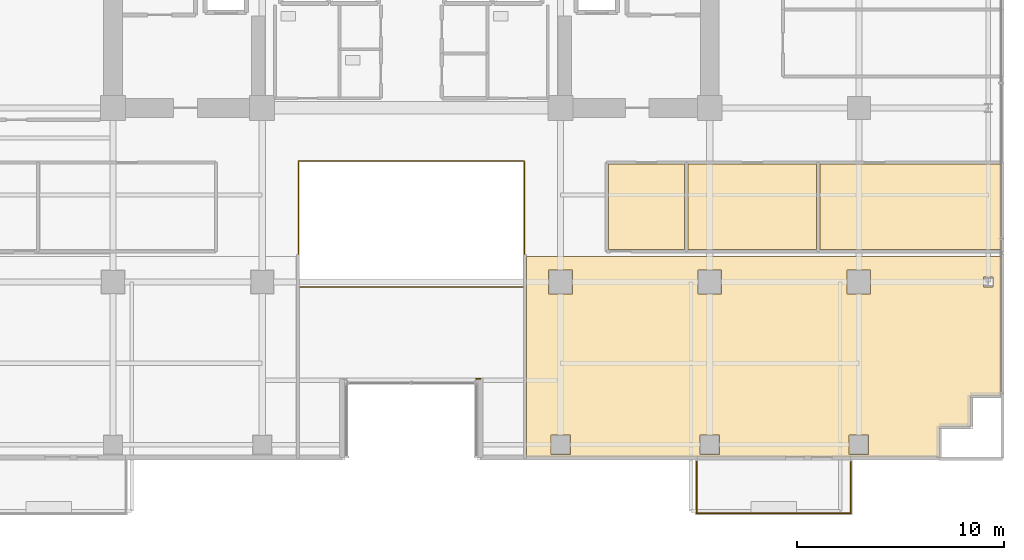
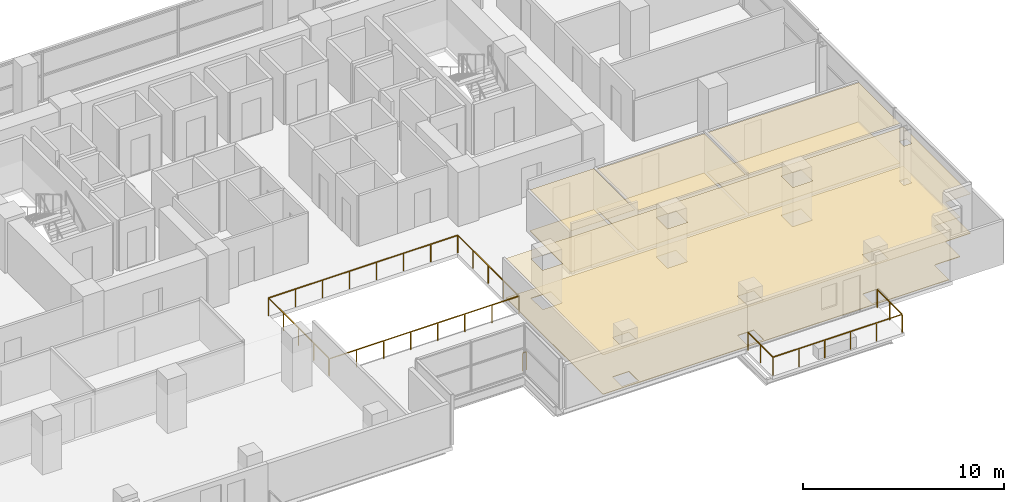
# One storey, part 29 of 31: 8 coverings, 3 railings.
"""IFC4 building model written with IfcOpenShell, lengths in metres."""

import ifcopenshell
import ifcopenshell.guid

model = None  # the IFC model being written
_history = None  # IfcOwnerHistory: only IFC2X3 demands one
_inside = {}  # id of a spatial element -> (the spatial element, [elements in it])
_under = {}  # id of a project, library or spatial element -> (it, [spatial elements below it])
_declared = {}  # id of a project -> (the project, [libraries it declares])
_typed = {}  # id of a type object -> (the type object, [elements of that type])
_made_of = {}  # id of a material, layer set ... -> (it, [elements and type objects made of it])


def new_model(schema):
    """Start an empty IFC model of exactly this schema.

    Asked for "IFC4X3", IfcOpenShell would pick the latest addendum, in which some entities
    have other attributes; the version numbers below select the first issue.
    IFC2X3 requires an IfcOwnerHistory on every rooted entity: one is made here for all.
    """
    global model, _history
    if schema == "IFC4X3":
        model = ifcopenshell.file(schema_version=(4, 3, 0, 0))
    else:
        model = ifcopenshell.file(schema=schema)
    _inside.clear()
    _under.clear()
    _declared.clear()
    _typed.clear()
    _made_of.clear()
    _history = None
    if model.schema == "IFC2X3":
        org = make("IfcOrganization", Name="unknown")
        user = make(
            "IfcPersonAndOrganization",
            ThePerson=make("IfcPerson", FamilyName="unknown"),
            TheOrganization=org,
        )
        app = make(
            "IfcApplication",
            ApplicationDeveloper=org,
            Version="unknown",
            ApplicationFullName="unknown",
            ApplicationIdentifier="unknown",
        )
        _history = make(
            "IfcOwnerHistory",
            OwningUser=user,
            OwningApplication=app,
            ChangeAction="ADDED",
            CreationDate=0,
        )
    return model


def make(cls, **values):
    """One entity of the class cls with the attributes given. An attribute that is None is left unset."""
    return model.create_entity(
        cls, **{name: value for name, value in values.items() if value is not None}
    )


def rooted(cls, **values):
    """An entity with a GlobalId (a new one), such as an element, a storey or a relation."""
    return make(cls, GlobalId=ifcopenshell.guid.new(), OwnerHistory=_history, **values)


def si_unit(unit_type, name, prefix=None):
    """IfcSIUnit, for example si_unit("LENGTHUNIT", "METRE", prefix="MILLI")."""
    return make("IfcSIUnit", UnitType=unit_type, Prefix=prefix, Name=name)


def assignment(units):
    """IfcUnitAssignment: the units of a project."""
    return None if units is None else make("IfcUnitAssignment", Units=units)


def point(xyz):
    """IfcCartesianPoint."""
    return None if xyz is None else make("IfcCartesianPoint", Coordinates=xyz)


def direction(xyz):
    """IfcDirection."""
    return None if xyz is None else make("IfcDirection", DirectionRatios=xyz)


def frame(location, z_axis=None, x_axis=None):
    """IfcAxis2Placement3D, a coordinate frame: its origin and axes. An axis left out is left unset."""
    return make(
        "IfcAxis2Placement3D",
        Location=point(location),
        Axis=direction(z_axis),
        RefDirection=direction(x_axis),
    )


def frame_2d(location, x_axis=None):
    """IfcAxis2Placement2D, a coordinate frame in the plane: its origin and x axis."""
    return make(
        "IfcAxis2Placement2D", Location=point(location), RefDirection=direction(x_axis)
    )


def origin():
    """The frame at (0, 0, 0) with its axes left unset."""
    return frame((0.0, 0.0, 0.0))


def origin_2d():
    """The frame at (0, 0) in the plane with its x axis left unset."""
    return frame_2d((0.0, 0.0))


def place(relative_to, where):
    """IfcLocalPlacement: puts the frame where relative to a parent placement (None: the world)."""
    return make(
        "IfcLocalPlacement", PlacementRelTo=relative_to, RelativePlacement=where
    )


def context(
    kind, dimensions, precision=None, world=None, true_north=None, identifier=None
):
    """IfcGeometricRepresentationContext, for example the 3D "Model" context."""
    return make(
        "IfcGeometricRepresentationContext",
        ContextIdentifier=identifier,
        ContextType=kind,
        CoordinateSpaceDimension=dimensions,
        Precision=precision,
        WorldCoordinateSystem=world,
        TrueNorth=true_north,
    )


def subcontext(parent, identifier, kind, view, scale=None):
    """IfcGeometricRepresentationSubContext, for example "Body" below "Model"."""
    return make(
        "IfcGeometricRepresentationSubContext",
        ContextIdentifier=identifier,
        ContextType=kind,
        ParentContext=parent,
        TargetScale=scale,
        TargetView=view,
    )


def project(units=None, contexts=None):
    """IfcProject with its units and contexts."""
    return rooted(
        "IfcProject",
        Name="project",
        RepresentationContexts=contexts,
        UnitsInContext=assignment(units),
    )


def spatial(cls, under=None, at=None, **own):
    """A site, building, storey or space (cls), placed at a placement, below another one or the project."""
    s = rooted(cls, ObjectPlacement=at, **own)
    if under is not None:
        _under.setdefault(under.id(), (under, []))[1].append(s)
    return s


def polyline(points):
    """IfcPolyline through the points."""
    return make("IfcPolyline", Points=[point(p) for p in points])


def profile(cls, at=None, kind="AREA", **sizes):
    """A parametric profile (cls). Its sizes go by their IFC names, for example OverallWidth=200.0."""
    return make(cls, ProfileType=kind, Position=at, **sizes)


def rectangle(**sizes):
    """IfcRectangleProfileDef."""
    return profile("IfcRectangleProfileDef", **sizes)


def outline(outer, holes=None, kind="AREA"):
    """IfcArbitraryClosedProfileDef: a profile drawn as a closed curve; with holes, ...WithVoids."""
    if holes is None:
        return make("IfcArbitraryClosedProfileDef", ProfileType=kind, OuterCurve=outer)
    return make(
        "IfcArbitraryProfileDefWithVoids",
        ProfileType=kind,
        OuterCurve=outer,
        InnerCurves=holes,
    )


def extrude(swept, where, along, depth):
    """IfcExtrudedAreaSolid: the profile swept, set in the frame where, extruded along a direction by depth."""
    return make(
        "IfcExtrudedAreaSolid",
        SweptArea=swept,
        Position=where,
        ExtrudedDirection=direction(along),
        Depth=depth,
    )


def shape(context_of_items, identifier, shape_type, items):
    """IfcShapeRepresentation: the items that make up one representation, for example the "Body"."""
    return make(
        "IfcShapeRepresentation",
        ContextOfItems=context_of_items,
        RepresentationIdentifier=identifier,
        RepresentationType=shape_type,
        Items=items,
    )


def material(Name=None, Category=None):
    """IfcMaterial."""
    return make("IfcMaterial", Name=Name, Category=Category)


def layer(
    of_material, thickness, ventilated=None, Name=None, Category=None, Priority=None
):
    """IfcMaterialLayer: one layer of a wall or slab, of a material (None: an air gap)."""
    return make(
        "IfcMaterialLayer",
        Material=of_material,
        LayerThickness=thickness,
        IsVentilated=ventilated,
        Name=Name,
        Category=Category,
        Priority=Priority,
    )


def layer_set(layers, Name=None):
    """IfcMaterialLayerSet."""
    return make("IfcMaterialLayerSet", MaterialLayers=layers, LayerSetName=Name)


def made_of(thing, what):
    """Note that an element or type object is made of a material, layer set ...; save() writes the relation."""
    if what is not None:
        _made_of.setdefault(what.id(), (what, []))[1].append(thing)
    return thing


def type_object(cls, material=None, **own):
    """A type object (cls), such as IfcWallType, which elements share."""
    return made_of(rooted(cls, **own), material)


def element(
    cls,
    number,
    at=None,
    inside=None,
    cuts=None,
    type_object=None,
    material=None,
    context=None,
    identifier="Body",
    shape_type=None,
    held_by="IfcProductDefinitionShape",
    body=None,
    shapes=None,
    **own,
):
    """One element of the class cls, such as IfcWall. Its Tag is "e" and its number.

    at: its placement. inside: the storey or other place that contains it. cuts: it is an
    opening in that element (IfcRelVoidsElement). A single representation is given by context,
    identifier, shape_type and body (its items); several are given by shapes. held_by: the class
    of the entity that holds the representations. save() writes the other relations.
    """
    e = rooted(cls, Tag="e%d" % number, ObjectPlacement=at, **own)
    if body is not None:
        shapes = [shape(context, identifier, shape_type, body)]
    if shapes is not None:
        e.Representation = make(held_by, Representations=shapes)
    if inside is not None:
        _inside.setdefault(inside.id(), (inside, []))[1].append(e)
    if cuts is not None:
        rooted(
            "IfcRelVoidsElement", RelatingBuildingElement=cuts, RelatedOpeningElement=e
        )
    if type_object is not None:
        _typed.setdefault(type_object.id(), (type_object, []))[1].append(e)
    return made_of(e, material)


def aggregate(whole, parts):
    """IfcRelAggregates: a whole, such as a stair, and the parts it consists of."""
    return rooted("IfcRelAggregates", RelatingObject=whole, RelatedObjects=parts)


def save(model, path):
    """Write the relations noted so far, then the file.

    IfcRelAggregates (storeys below a building ...), IfcRelContainedInSpatialStructure (elements
    in a storey), IfcRelDefinesByType, IfcRelAssociatesMaterial and IfcRelDeclares: one each for
    every whole, place, type object, material and project.
    """
    for whole, parts in _under.values():
        aggregate(whole, parts)
    for where, things in _inside.values():
        rooted(
            "IfcRelContainedInSpatialStructure",
            RelatedElements=things,
            RelatingStructure=where,
        )
    for kind, things in _typed.values():
        rooted("IfcRelDefinesByType", RelatedObjects=things, RelatingType=kind)
    for what, things in _made_of.values():
        rooted("IfcRelAssociatesMaterial", RelatedObjects=things, RelatingMaterial=what)
    for by, libraries in _declared.values():
        rooted("IfcRelDeclares", RelatingContext=by, RelatedDefinitions=libraries)
    model.write(path)


model = new_model("IFC4")

# Units and contexts
model_context = context("Model", 3, precision=1e-05, world=origin(), true_north=direction((0.0, 1.0)))
body_context = subcontext(model_context, "Body", "Model", "MODEL_VIEW")
ifc_project = project(units=[si_unit("LENGTHUNIT", "METRE"), si_unit("AREAUNIT", "SQUARE_METRE"), si_unit("VOLUMEUNIT", "CUBIC_METRE"), si_unit("PLANEANGLEUNIT", "RADIAN"), si_unit("MASSUNIT", "GRAM", prefix="KILO")], contexts=[model_context])

# Site, building, storey
site_placement = place(None, origin())
site = spatial("IfcSite", under=ifc_project, at=site_placement, CompositionType="ELEMENT")
building_placement = place(site_placement, origin())
building = spatial("IfcBuilding", under=site, at=building_placement, Name="Zarnakvel Exchange Tower", CompositionType="ELEMENT")
storey_placement = place(building_placement, frame((0.0, 0.0, 47.199951171875)))
storey = spatial("IfcBuildingStorey", under=building, at=storey_placement, Name="L12", CompositionType="ELEMENT", Elevation=47.199951171875)

# Coverings
ifc_material_1 = material(Name="Perforated Bronze Acoustic Metal Ceiling", Category="aluminium")
ifc_layer_1 = layer(ifc_material_1, 0.02001953125)
ifc_layer_set_1 = layer_set([ifc_layer_1], Name="Perforated Bronze Acoustic Metal Ceiling")
covering_type_1 = type_object("IfcCoveringType", Name="CLG-01", PredefinedType="CEILING", material=ifc_layer_set_1)
covering_1_placement = place(storey_placement, frame((0.0, 0.0, 2.505126953125)))
element("IfcCovering", 1, at=covering_1_placement, inside=storey, type_object=covering_type_1, Name="L12 Suspended Acoustic Ceiling (Conference Room)", PredefinedType="CEILING", context=body_context, shape_type="SweptSolid", body=[
    extrude(outline(polyline([(9.510009765625, -3.909912109375), (13.18798828125, -3.909912109375), (13.18798828125, -8.0400390625), (9.510009765625, -8.0400390625), (9.510009765625, -3.909912109375)])), origin(), (0.0, 0.0, 1.0), 0.02001953125),
])
covering_2_placement = place(storey_placement, frame((0.0, 0.0, 2.405029296875)))
element("IfcCovering", 2, at=covering_2_placement, inside=storey, type_object=covering_type_1, Name="L12 Suspended Acoustic Ceiling (Executive Suite)", PredefinedType="CEILING", context=body_context, shape_type="SweptSolid", body=[
    extrude(outline(polyline([(13.347900390625, -3.909912109375), (19.5546875, -3.909912109375), (19.5546875, -8.0400390625), (13.347900390625, -8.0400390625), (13.347900390625, -3.909912109375)])), origin(), (0.0, 0.0, 1.0), 0.02001953125),
])
covering_3_placement = place(storey_placement, frame((0.0, 0.0, 2.405029296875)))
element("IfcCovering", 3, at=covering_3_placement, inside=storey, type_object=covering_type_1, Name="L12 Suspended Acoustic Ceiling (Staff Pantry)", PredefinedType="CEILING", context=body_context, shape_type="SweptSolid", body=[
    extrude(outline(polyline([(19.714599609375, -3.909912109375), (28.449951171875, -3.909912109375), (28.449951171875, -8.0400390625), (19.714599609375, -8.0400390625), (19.714599609375, -3.909912109375)])), origin(), (0.0, 0.0, 1.0), 0.02001953125),
])
covering_4_placement = place(storey_placement, frame((0.0, 0.0, 2.405029296875)))
element("IfcCovering", 4, at=covering_4_placement, inside=storey, type_object=covering_type_1, Name="L12 Suspended Acoustic Ceiling (Quant Research Office)", PredefinedType="CEILING", context=body_context, shape_type="SweptSolid", body=[
    extrude(outline(polyline([(5.56005859375, -8.360107421875), (28.449951171875, -8.360107421875), (28.449951171875, -15.080078125), (27.10009765625, -15.080078125), (27.088134765625, -15.08056640625), (27.07666015625, -15.082275390625), (27.065185546875, -15.085205078125), (27.05419921875, -15.089111328125), (27.04345703125, -15.09423828125), (27.033447265625, -15.100341796875), (27.02392578125, -15.107177734375), (27.01513671875, -15.115234375), (27.00732421875, -15.123779296875), (27.000244140625, -15.13330078125), (26.994140625, -15.143310546875), (26.989013671875, -15.154052734375), (26.985107421875, -15.165283203125), (26.982421875, -15.176513671875), (26.98046875, -15.188232421875), (26.97998046875, -15.199951171875), (26.97998046875, -16.580078125), (25.60009765625, -16.580078125), (25.588134765625, -16.58056640625), (25.57666015625, -16.582275390625), (25.565185546875, -16.585205078125), (25.55419921875, -16.589111328125), (25.54345703125, -16.59423828125), (25.533447265625, -16.600341796875), (25.52392578125, -16.607177734375), (25.51513671875, -16.615234375), (25.50732421875, -16.623779296875), (25.500244140625, -16.63330078125), (25.494140625, -16.643310546875), (25.489013671875, -16.654052734375), (25.485107421875, -16.665283203125), (25.482421875, -16.676513671875), (25.48046875, -16.688232421875), (25.47998046875, -16.699951171875), (25.47998046875, -18.050048828125), (5.56005859375, -18.050048828125), (5.56005859375, -8.360107421875)]), holes=[polyline([(28.075927734375, -9.83251953125), (28.075927734375, -9.367431640625), (27.6240234375, -9.367431640625), (27.6240234375, -9.83251953125), (28.075927734375, -9.83251953125)]), polyline([(22.169921875, -10.169921875), (22.169921875, -9.030029296875), (21.030029296875, -9.030029296875), (21.030029296875, -10.169921875), (22.169921875, -10.169921875)]), polyline([(22.070068359375, -17.919921875), (22.070068359375, -16.97998046875), (21.1298828125, -16.97998046875), (21.1298828125, -17.919921875), (22.070068359375, -17.919921875)]), polyline([(13.830078125, -10.169921875), (14.969970703125, -10.169921875), (14.969970703125, -9.030029296875), (13.830078125, -9.030029296875), (13.830078125, -10.169921875)]), polyline([(14.8701171875, -17.919921875), (14.8701171875, -16.97998046875), (13.929931640625, -16.97998046875), (13.929931640625, -17.919921875), (14.8701171875, -17.919921875)]), polyline([(6.6298828125, -10.169921875), (7.77001953125, -10.169921875), (7.77001953125, -9.030029296875), (6.6298828125, -9.030029296875), (6.6298828125, -10.169921875)]), polyline([(7.669921875, -17.919921875), (7.669921875, -16.97998046875), (6.72998046875, -16.97998046875), (6.72998046875, -17.919921875), (7.669921875, -17.919921875)])]), origin(), (0.0, 0.0, 1.0), 0.02001953125),
])
ifc_material_2 = material(Name="Heavy-Duty Raised Access Floor Panel", Category="steel")
ifc_layer_2 = layer(ifc_material_2, 0.034912109375)
ifc_layer_set_2 = layer_set([ifc_layer_2], Name="Heavy-Duty Raised Access Floor Panel")
covering_type_2 = type_object("IfcCoveringType", Name="FLR-02", PredefinedType="FLOORING", material=ifc_layer_set_2)
covering_5_placement = place(storey_placement, origin())
element("IfcCovering", 5, at=covering_5_placement, inside=storey, type_object=covering_type_2, Name="L12 Floor Finish (Conference Room)", PredefinedType="FLOORING", context=body_context, shape_type="SweptSolid", body=[
    extrude(outline(polyline([(9.510009765625, -3.909912109375), (13.18798828125, -3.909912109375), (13.18798828125, -8.0400390625), (9.510009765625, -8.0400390625), (9.510009765625, -3.909912109375)])), origin(), (0.0, 0.0, 1.0), 0.03515625),
])
covering_6_placement = place(storey_placement, origin())
element("IfcCovering", 6, at=covering_6_placement, inside=storey, type_object=covering_type_2, Name="L12 Floor Finish (Executive Suite)", PredefinedType="FLOORING", context=body_context, shape_type="SweptSolid", body=[
    extrude(outline(polyline([(13.347900390625, -3.909912109375), (19.5546875, -3.909912109375), (19.5546875, -8.0400390625), (13.347900390625, -8.0400390625), (13.347900390625, -3.909912109375)])), origin(), (0.0, 0.0, 1.0), 0.03515625),
])
covering_7_placement = place(storey_placement, origin())
element("IfcCovering", 7, at=covering_7_placement, inside=storey, type_object=covering_type_2, Name="L12 Floor Finish (Staff Pantry)", PredefinedType="FLOORING", context=body_context, shape_type="SweptSolid", body=[
    extrude(outline(polyline([(19.714599609375, -3.909912109375), (28.449951171875, -3.909912109375), (28.449951171875, -8.0400390625), (19.714599609375, -8.0400390625), (19.714599609375, -3.909912109375)])), origin(), (0.0, 0.0, 1.0), 0.03515625),
])
covering_8_placement = place(storey_placement, origin())
element("IfcCovering", 8, at=covering_8_placement, inside=storey, type_object=covering_type_2, Name="L12 Floor Finish (Quant Research Office)", PredefinedType="FLOORING", context=body_context, shape_type="SweptSolid", body=[
    extrude(outline(polyline([(5.56005859375, -8.360107421875), (28.449951171875, -8.360107421875), (28.449951171875, -15.080078125), (27.10009765625, -15.080078125), (27.088134765625, -15.08056640625), (27.07666015625, -15.082275390625), (27.065185546875, -15.085205078125), (27.05419921875, -15.089111328125), (27.04345703125, -15.09423828125), (27.033447265625, -15.100341796875), (27.02392578125, -15.107177734375), (27.01513671875, -15.115234375), (27.00732421875, -15.123779296875), (27.000244140625, -15.13330078125), (26.994140625, -15.143310546875), (26.989013671875, -15.154052734375), (26.985107421875, -15.165283203125), (26.982421875, -15.176513671875), (26.98046875, -15.188232421875), (26.97998046875, -15.199951171875), (26.97998046875, -16.580078125), (25.60009765625, -16.580078125), (25.588134765625, -16.58056640625), (25.57666015625, -16.582275390625), (25.565185546875, -16.585205078125), (25.55419921875, -16.589111328125), (25.54345703125, -16.59423828125), (25.533447265625, -16.600341796875), (25.52392578125, -16.607177734375), (25.51513671875, -16.615234375), (25.50732421875, -16.623779296875), (25.500244140625, -16.63330078125), (25.494140625, -16.643310546875), (25.489013671875, -16.654052734375), (25.485107421875, -16.665283203125), (25.482421875, -16.676513671875), (25.48046875, -16.688232421875), (25.47998046875, -16.699951171875), (25.47998046875, -18.050048828125), (5.56005859375, -18.050048828125), (5.56005859375, -8.360107421875)]), holes=[polyline([(28.075927734375, -9.83251953125), (28.075927734375, -9.367431640625), (27.6240234375, -9.367431640625), (27.6240234375, -9.83251953125), (28.075927734375, -9.83251953125)]), polyline([(22.169921875, -10.169921875), (22.169921875, -9.030029296875), (21.030029296875, -9.030029296875), (21.030029296875, -10.169921875), (22.169921875, -10.169921875)]), polyline([(22.070068359375, -17.919921875), (22.070068359375, -16.97998046875), (21.1298828125, -16.97998046875), (21.1298828125, -17.919921875), (22.070068359375, -17.919921875)]), polyline([(13.830078125, -10.169921875), (14.969970703125, -10.169921875), (14.969970703125, -9.030029296875), (13.830078125, -9.030029296875), (13.830078125, -10.169921875)]), polyline([(14.8701171875, -17.919921875), (14.8701171875, -16.97998046875), (13.929931640625, -16.97998046875), (13.929931640625, -17.919921875), (14.8701171875, -17.919921875)]), polyline([(6.6298828125, -10.169921875), (7.77001953125, -10.169921875), (7.77001953125, -9.030029296875), (6.6298828125, -9.030029296875), (6.6298828125, -10.169921875)]), polyline([(7.669921875, -17.919921875), (7.669921875, -16.97998046875), (6.72998046875, -16.97998046875), (6.72998046875, -17.919921875), (7.669921875, -17.919921875)])]), origin(), (0.0, 0.0, 1.0), 0.03515625),
])

# Railings
ifc_material_3 = material(Name="Architectural Bronze Anodised Aluminium", Category="aluminium")
railing_type_1 = type_object("IfcRailingType", Name="GR-02", PredefinedType="GUARDRAIL", material=ifc_material_3)
railing_1_placement = place(storey_placement, frame((13.780029296875, -18.280029296875, -0.034912109375)))
element("IfcRailing", 9, at=railing_1_placement, inside=storey, type_object=railing_type_1, Name="L12 Balcony Guardrail BAL-L12-SE", PredefinedType="GUARDRAIL", context=body_context, shape_type="SweptSolid", body=[
    extrude(rectangle(XDim=0.048095703125, YDim=0.048095703125, at=origin_2d()), frame((0.0, 0.0, 1.09619140625), z_axis=(0.0, -1.0, 0.0), x_axis=(1.0, 0.0, 0.0)), (0.0, 0.0, 1.0), 2.489990234375),
    extrude(rectangle(XDim=0.048095703125, YDim=0.048095703125, at=origin_2d()), frame((0.0, -2.489990234375, 1.09619140625), z_axis=(1.0, 0.0, 0.0), x_axis=(0.0, 1.0, 0.0)), (0.0, 0.0, 1.0), 7.43994140625),
    extrude(rectangle(XDim=0.048095703125, YDim=0.048095703125, at=origin_2d()), frame((7.43994140625, -2.489990234375, 1.09619140625), z_axis=(0.0, 1.0, 0.0), x_axis=(-1.0, 0.0, 0.0)), (0.0, 0.0, 1.0), 2.489990234375),
    extrude(rectangle(XDim=0.0419921875, YDim=0.0419921875, at=origin_2d()), origin(), (0.0, 0.0, 1.0), 1.072021484375),
    extrude(rectangle(XDim=0.0419921875, YDim=0.0419921875, at=origin_2d()), frame((0.0, -1.2451171875, 0.0)), (0.0, 0.0, 1.0), 1.072021484375),
    extrude(rectangle(XDim=0.0419921875, YDim=0.0419921875, at=origin_2d()), frame((0.0, -2.489990234375, 0.0)), (0.0, 0.0, 1.0), 1.072021484375),
    extrude(rectangle(XDim=0.0419921875, YDim=0.0419921875, at=origin_2d()), frame((1.488037109375, -2.489990234375, 0.0)), (0.0, 0.0, 1.0), 1.072021484375),
    extrude(rectangle(XDim=0.0419921875, YDim=0.0419921875, at=origin_2d()), frame((2.97607421875, -2.489990234375, 0.0)), (0.0, 0.0, 1.0), 1.072021484375),
    extrude(rectangle(XDim=0.0419921875, YDim=0.0419921875, at=origin_2d()), frame((4.4638671875, -2.489990234375, 0.0)), (0.0, 0.0, 1.0), 1.072021484375),
    extrude(rectangle(XDim=0.0419921875, YDim=0.0419921875, at=origin_2d()), frame((5.951904296875, -2.489990234375, 0.0)), (0.0, 0.0, 1.0), 1.072021484375),
    extrude(rectangle(XDim=0.0419921875, YDim=0.0419921875, at=origin_2d()), frame((7.43994140625, -2.489990234375, 0.0)), (0.0, 0.0, 1.0), 1.072021484375),
    extrude(rectangle(XDim=0.0419921875, YDim=0.0419921875, at=origin_2d()), frame((7.43994140625, -1.2451171875, 0.0)), (0.0, 0.0, 1.0), 1.072021484375),
    extrude(rectangle(XDim=0.0419921875, YDim=0.0419921875, at=origin_2d()), frame((7.43994140625, 0.0, 0.0)), (0.0, 0.0, 1.0), 1.072021484375),
])
railing_2_placement = place(storey_placement, frame((3.340087890625, -14.260009765625, 0.0)))
element("IfcRailing", 10, at=railing_2_placement, inside=storey, type_object=railing_type_1, Name="L12 Corner Spandrel Balustrade #18", PredefinedType="GUARDRAIL", context=body_context, shape_type="SweptSolid", body=[
    extrude(rectangle(XDim=0.048095703125, YDim=0.048095703125, at=origin_2d()), frame((0.0, 0.0, 1.09619140625), z_axis=(-1.0, 0.0, 0.0), x_axis=(0.0, -1.0, 0.0)), (0.0, 0.0, 1.0), 0.219970703125),
    extrude(rectangle(XDim=0.0419921875, YDim=0.0419921875, at=origin_2d()), origin(), (0.0, 0.0, 1.0), 1.072021484375),
    extrude(rectangle(XDim=0.0419921875, YDim=0.0419921875, at=origin_2d()), frame((-0.219970703125, 0.0, 0.0)), (0.0, 0.0, 1.0), 1.072021484375),
])
railing_type_2 = type_object("IfcRailingType", Name="GR-03", PredefinedType="GUARDRAIL", material=ifc_material_3)
railing_3_placement = place(storey_placement, frame((-5.449951171875, -9.85009765625, 0.0)))
element("IfcRailing", 11, at=railing_3_placement, inside=storey, type_object=railing_type_2, Name="L12 Atrium Void Perimeter Balustrade", PredefinedType="GUARDRAIL", context=body_context, shape_type="SweptSolid", body=[
    extrude(rectangle(XDim=0.048095703125, YDim=0.048095703125, at=origin_2d()), frame((0.0, 0.0, 1.076171875), z_axis=(1.0, 0.0, 0.0), x_axis=(0.0, 1.0, 0.0)), (0.0, 0.0, 1.0), 10.89990234375),
    extrude(rectangle(XDim=0.048095703125, YDim=0.048095703125, at=origin_2d()), frame((10.89990234375, 0.0, 1.076171875), z_axis=(0.0, 1.0, 0.0), x_axis=(-1.0, 0.0, 0.0)), (0.0, 0.0, 1.0), 6.10009765625),
    extrude(rectangle(XDim=0.048095703125, YDim=0.048095703125, at=origin_2d()), frame((10.89990234375, 6.10009765625, 1.076171875), z_axis=(-1.0, 0.0, 0.0), x_axis=(0.0, -1.0, 0.0)), (0.0, 0.0, 1.0), 10.89990234375),
    extrude(rectangle(XDim=0.048095703125, YDim=0.048095703125, at=origin_2d()), frame((0.0, 6.10009765625, 1.076171875), z_axis=(0.0, -1.0, 0.0), x_axis=(1.0, 0.0, 0.0)), (0.0, 0.0, 1.0), 6.02001953125),
    extrude(rectangle(XDim=0.0419921875, YDim=0.0419921875, at=origin_2d()), origin(), (0.0, 0.0, 1.0), 1.052001953125),
    extrude(rectangle(XDim=0.0419921875, YDim=0.0419921875, at=origin_2d()), frame((1.55712890625, 0.0, 0.0)), (0.0, 0.0, 1.0), 1.052001953125),
    extrude(rectangle(XDim=0.0419921875, YDim=0.0419921875, at=origin_2d()), frame((3.1142578125, 0.0, 0.0)), (0.0, 0.0, 1.0), 1.052001953125),
    extrude(rectangle(XDim=0.0419921875, YDim=0.0419921875, at=origin_2d()), frame((4.67138671875, 0.0, 0.0)), (0.0, 0.0, 1.0), 1.052001953125),
    extrude(rectangle(XDim=0.0419921875, YDim=0.0419921875, at=origin_2d()), frame((6.228515625, 0.0, 0.0)), (0.0, 0.0, 1.0), 1.052001953125),
    extrude(rectangle(XDim=0.0419921875, YDim=0.0419921875, at=origin_2d()), frame((7.78564453125, 0.0, 0.0)), (0.0, 0.0, 1.0), 1.052001953125),
    extrude(rectangle(XDim=0.0419921875, YDim=0.0419921875, at=origin_2d()), frame((9.3427734375, 0.0, 0.0)), (0.0, 0.0, 1.0), 1.052001953125),
    extrude(rectangle(XDim=0.0419921875, YDim=0.0419921875, at=origin_2d()), frame((10.89990234375, 0.0, 0.0)), (0.0, 0.0, 1.0), 1.052001953125),
    extrude(rectangle(XDim=0.0419921875, YDim=0.0419921875, at=origin_2d()), frame((10.89990234375, 1.52490234375, 0.0)), (0.0, 0.0, 1.0), 1.052001953125),
    extrude(rectangle(XDim=0.0419921875, YDim=0.0419921875, at=origin_2d()), frame((10.89990234375, 3.050048828125, 0.0)), (0.0, 0.0, 1.0), 1.052001953125),
    extrude(rectangle(XDim=0.0419921875, YDim=0.0419921875, at=origin_2d()), frame((10.89990234375, 4.5751953125, 0.0)), (0.0, 0.0, 1.0), 1.052001953125),
    extrude(rectangle(XDim=0.0419921875, YDim=0.0419921875, at=origin_2d()), frame((10.89990234375, 6.10009765625, 0.0)), (0.0, 0.0, 1.0), 1.052001953125),
    extrude(rectangle(XDim=0.0419921875, YDim=0.0419921875, at=origin_2d()), frame((9.3427734375, 6.10009765625, 0.0)), (0.0, 0.0, 1.0), 1.052001953125),
    extrude(rectangle(XDim=0.0419921875, YDim=0.0419921875, at=origin_2d()), frame((7.78564453125, 6.10009765625, 0.0)), (0.0, 0.0, 1.0), 1.052001953125),
    extrude(rectangle(XDim=0.0419921875, YDim=0.0419921875, at=origin_2d()), frame((6.228515625, 6.10009765625, 0.0)), (0.0, 0.0, 1.0), 1.052001953125),
    extrude(rectangle(XDim=0.0419921875, YDim=0.0419921875, at=origin_2d()), frame((4.67138671875, 6.10009765625, 0.0)), (0.0, 0.0, 1.0), 1.052001953125),
    extrude(rectangle(XDim=0.0419921875, YDim=0.0419921875, at=origin_2d()), frame((3.1142578125, 6.10009765625, 0.0)), (0.0, 0.0, 1.0), 1.052001953125),
    extrude(rectangle(XDim=0.0419921875, YDim=0.0419921875, at=origin_2d()), frame((1.55712890625, 6.10009765625, 0.0)), (0.0, 0.0, 1.0), 1.052001953125),
    extrude(rectangle(XDim=0.0419921875, YDim=0.0419921875, at=origin_2d()), frame((0.0, 6.10009765625, 0.0)), (0.0, 0.0, 1.0), 1.052001953125),
    extrude(rectangle(XDim=0.0419921875, YDim=0.0419921875, at=origin_2d()), frame((0.0, 4.59521484375, 0.0)), (0.0, 0.0, 1.0), 1.052001953125),
    extrude(rectangle(XDim=0.0419921875, YDim=0.0419921875, at=origin_2d()), frame((0.0, 3.090087890625, 0.0)), (0.0, 0.0, 1.0), 1.052001953125),
    extrude(rectangle(XDim=0.0419921875, YDim=0.0419921875, at=origin_2d()), frame((0.0, 1.5849609375, 0.0)), (0.0, 0.0, 1.0), 1.052001953125),
    extrude(rectangle(XDim=0.0419921875, YDim=0.0419921875, at=origin_2d()), frame((0.0, 0.080078125, 0.0)), (0.0, 0.0, 1.0), 1.052001953125),
])

save(model, "model.ifc")
